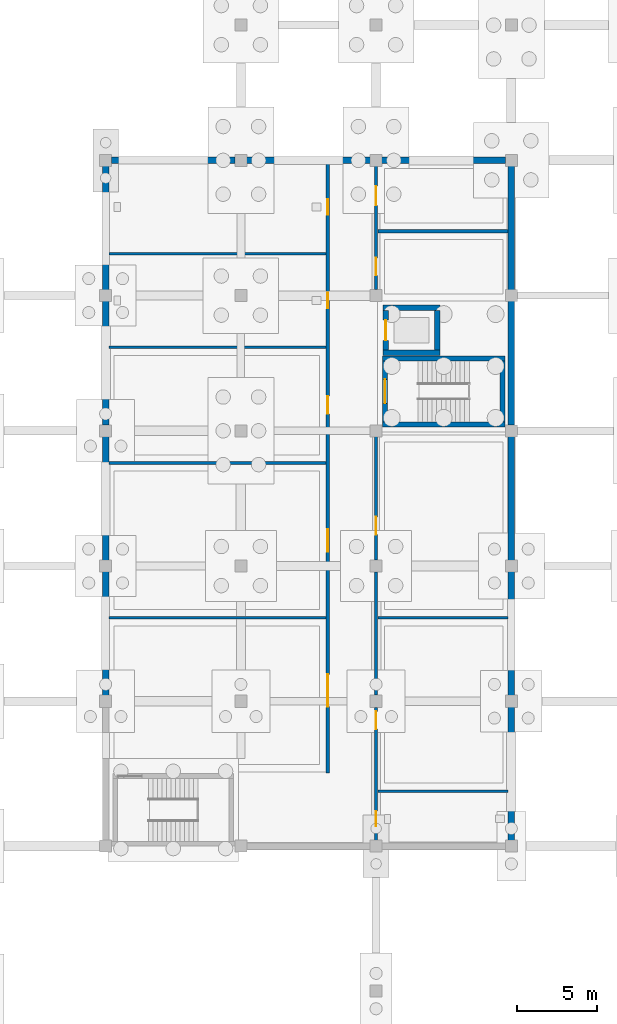
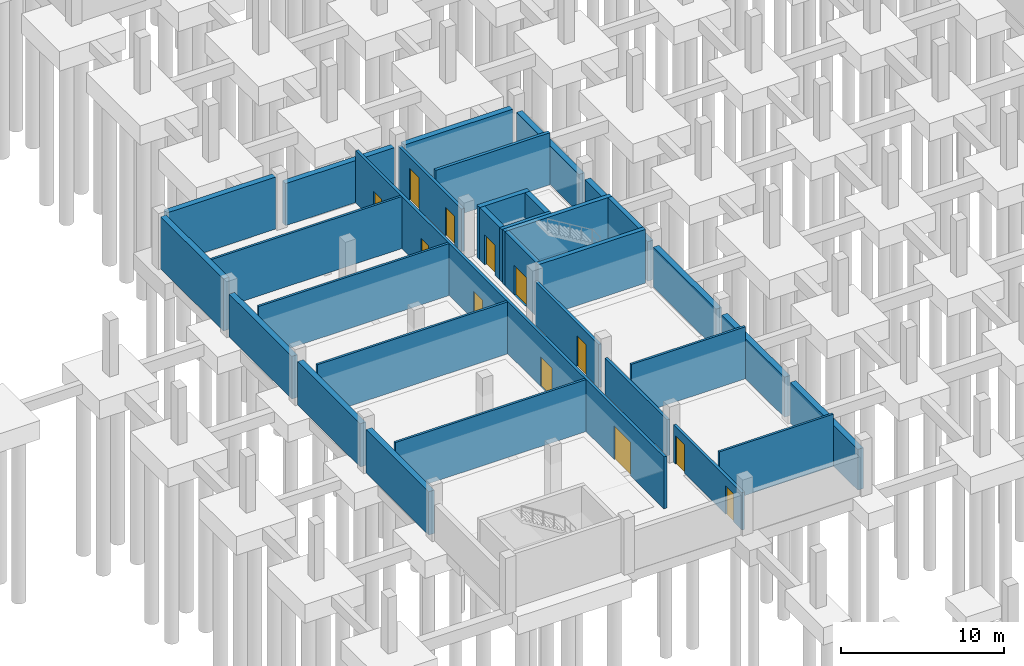
# One storey, part 12 of 20: 32 walls, 12 doors, 12 openings.
"""IFC4 building model written with IfcOpenShell, lengths in metres."""

from ifc_helpers import new_model, si_unit, direction, frame, frame_2d, origin, place, context, subcontext, project, spatial, rectangle, extrude, material, layer, layer_set, type_object, element, fill, save


model = new_model("IFC4")

# Units and contexts
model_context = context("Model", 3, precision=1e-05, world=origin(), true_north=direction((0.0, 1.0)))
body_context = subcontext(model_context, "Body", "Model", "MODEL_VIEW")
ifc_project = project(units=[si_unit("LENGTHUNIT", "METRE"), si_unit("AREAUNIT", "SQUARE_METRE"), si_unit("VOLUMEUNIT", "CUBIC_METRE"), si_unit("PLANEANGLEUNIT", "RADIAN"), si_unit("MASSUNIT", "GRAM", prefix="KILO")], contexts=[model_context])

# Site, building, storey
site_placement = place(None, origin())
site = spatial("IfcSite", under=ifc_project, at=site_placement, CompositionType="ELEMENT")
building_placement = place(site_placement, origin())
building = spatial("IfcBuilding", under=site, at=building_placement, Name="Vireocrest Preparatory School", CompositionType="ELEMENT")
storey_placement = place(building_placement, frame((0.0, 0.0, -4.199951171875)))
storey = spatial("IfcBuildingStorey", under=building, at=storey_placement, Name="B01", CompositionType="ELEMENT", Elevation=-4.199951171875)

# Walls
ifc_material_1 = material(Name="Concrete 45 MPa", Category="concrete")
ifc_layer_1 = layer(ifc_material_1, 0.39990234375)
ifc_layer_set_1 = layer_set([ifc_layer_1], Name="Concrete 45 MPa")
wall_type_1 = type_object("IfcWallType", Name="Basement RC Retaining Wall 400", PredefinedType="SHEAR", material=ifc_layer_set_1)
wall_1_placement = place(storey_placement, frame((58.800048828125, 18.35009765625, 0.0), z_axis=(0.0, 0.0, 1.0), x_axis=(0.0, 1.0, 0.0)))
element("IfcWall", 1, at=wall_1_placement, inside=storey, type_object=wall_type_1, Name="External Wall RW1 EW_B01_0003", PredefinedType="SHEAR", context=body_context, shape_type="SweptSolid", body=[
    extrude(rectangle(XDim=8.2998046875, YDim=0.39990234375, at=frame_2d((4.14990234375, 0.0))), origin(), (0.0, 0.0, 1.0), 3.050048828125),
])
for number, where, z_axis, x_axis, name in (
    (2, (58.800048828125, 27.35009765625, 0.0), (0.0, 0.0, 1.0), (0.0, 1.0, 0.0), "External Wall RW1 EW_B01_0004"),
    (3, (58.800048828125, 35.75, 0.0), (0.0, 0.0, 1.0), (0.0, 1.0, 0.0), "External Wall RW1 EW_B01_0005"),
):
    element("IfcWall", number, at=place(storey_placement, frame(where, z_axis=z_axis, x_axis=x_axis)), inside=storey, type_object=wall_type_1, Name=name, PredefinedType="SHEAR", context=body_context, shape_type="SweptSolid", body=[
        extrude(rectangle(XDim=7.699951171875, YDim=0.39990234375, at=frame_2d((3.85009765625, 0.0))), origin(), (0.0, 0.0, 1.0), 3.0),
    ])
wall_2_placement = place(storey_placement, frame((58.800048828125, 44.14990234375, 0.0), z_axis=(0.0, 0.0, 1.0), x_axis=(0.0, 1.0, 0.0)))
element("IfcWall", 4, at=wall_2_placement, inside=storey, type_object=wall_type_1, Name="External Wall RW1 EW_B01_0006", PredefinedType="SHEAR", context=body_context, shape_type="SweptSolid", body=[
    extrude(rectangle(XDim=7.7001953125, YDim=0.39990234375, at=frame_2d((3.85009765625, 0.0))), origin(), (0.0, 0.0, 1.0), 2.949951171875),
])
wall_3_placement = place(storey_placement, frame((58.800048828125, 52.550048828125, 0.0), z_axis=(0.0, 0.0, 1.0), x_axis=(0.0, 1.0, 0.0)))
element("IfcWall", 5, at=wall_3_placement, inside=storey, type_object=wall_type_1, Name="External Wall RW1 EW_B01_0007", PredefinedType="SHEAR", context=body_context, shape_type="SweptSolid", body=[
    extrude(rectangle(XDim=7.699951171875, YDim=0.39990234375, at=frame_2d((3.85009765625, 0.0))), origin(), (0.0, 0.0, 1.0), 2.89990234375),
])
wall_4_placement = place(storey_placement, frame((33.949951171875, 60.60009765625, 0.0), z_axis=(0.0, 0.0, 1.0), x_axis=(1.0, 0.0, 0.0)))
element("IfcWall", 6, at=wall_4_placement, inside=storey, type_object=wall_type_1, Name="External Wall RW1 EW_B01_0008", PredefinedType="SHEAR", context=body_context, shape_type="SweptSolid", body=[
    extrude(rectangle(XDim=7.699951171875, YDim=0.39990234375, at=frame_2d((3.85009765625, 0.0))), origin(), (0.0, 0.0, 1.0), 3.89990234375),
])
wall_5_placement = place(storey_placement, frame((42.35009765625, 60.60009765625, 0.0), z_axis=(0.0, 0.0, 1.0), x_axis=(1.0, 0.0, 0.0)))
element("IfcWall", 7, at=wall_5_placement, inside=storey, type_object=wall_type_1, Name="External Wall RW1 EW_B01_0009", PredefinedType="SHEAR", context=body_context, shape_type="SweptSolid", body=[
    extrude(rectangle(XDim=7.699951171875, YDim=0.39990234375, at=frame_2d((3.85009765625, 0.0))), origin(), (0.0, 0.0, 1.0), 3.14990234375),
])
wall_6_placement = place(storey_placement, frame((50.75, 60.60009765625, 0.0), z_axis=(0.0, 0.0, 1.0), x_axis=(1.0, 0.0, 0.0)))
element("IfcWall", 8, at=wall_6_placement, inside=storey, type_object=wall_type_1, Name="External Wall RW1 EW_B01_0010", PredefinedType="SHEAR", context=body_context, shape_type="SweptSolid", body=[
    extrude(rectangle(XDim=7.699951171875, YDim=0.39990234375, at=frame_2d((3.85009765625, 0.0))), origin(), (0.0, 0.0, 1.0), 3.099853515625),
])
for number, where, z_axis, x_axis, name in (
    (9, (33.60009765625, 27.35009765625, 0.0), (0.0, 0.0, 1.0), (0.0, 1.0, 0.0), "External Wall RW1 EW_B01_0012"),
    (10, (33.60009765625, 35.75, 0.0), (0.0, 0.0, 1.0), (0.0, 1.0, 0.0), "External Wall RW1 EW_B01_0013"),
):
    element("IfcWall", number, at=place(storey_placement, frame(where, z_axis=z_axis, x_axis=x_axis)), inside=storey, type_object=wall_type_1, Name=name, PredefinedType="SHEAR", context=body_context, shape_type="SweptSolid", body=[
        extrude(rectangle(XDim=7.699951171875, YDim=0.39990234375, at=frame_2d((3.85009765625, 0.0))), origin(), (0.0, 0.0, 1.0), 3.25),
    ])
wall_7_placement = place(storey_placement, frame((33.60009765625, 44.14990234375, 0.0), z_axis=(0.0, 0.0, 1.0), x_axis=(0.0, 1.0, 0.0)))
element("IfcWall", 11, at=wall_7_placement, inside=storey, type_object=wall_type_1, Name="External Wall RW1 EW_B01_0014", PredefinedType="SHEAR", context=body_context, shape_type="SweptSolid", body=[
    extrude(rectangle(XDim=7.7001953125, YDim=0.39990234375, at=frame_2d((3.85009765625, 0.0))), origin(), (0.0, 0.0, 1.0), 3.199951171875),
])
wall_8_placement = place(storey_placement, frame((33.60009765625, 52.550048828125, 0.0), z_axis=(0.0, 0.0, 1.0), x_axis=(0.0, 1.0, 0.0)))
element("IfcWall", 12, at=wall_8_placement, inside=storey, type_object=wall_type_1, Name="External Wall RW1 EW_B01_0015", PredefinedType="SHEAR", context=body_context, shape_type="SweptSolid", body=[
    extrude(rectangle(XDim=7.699951171875, YDim=0.39990234375, at=frame_2d((3.85009765625, 0.0))), origin(), (0.0, 0.0, 1.0), 3.89990234375),
])

# Wall, openings, doors
ifc_material_2 = material(Name="Gypsum board on cold-formed steel studs", Category="steel")
ifc_layer_2 = layer(ifc_material_2, 0.199951171875)
ifc_layer_set_2 = layer_set([ifc_layer_2], Name="Gypsum board on cold-formed steel studs")
wall_type_2 = type_object("IfcWallType", Name="Corridor One-Hour Fire Partition 200", PredefinedType="PARTITIONING", material=ifc_layer_set_2)
wall_9_placement = place(storey_placement, frame((47.39990234375, 22.56005859375, 0.0), z_axis=(0.0, 0.0, 1.0), x_axis=(0.0, 1.0, 0.0)))
wall_9 = element("IfcWall", 13, at=wall_9_placement, inside=storey, type_object=wall_type_2, Name="Interior Partition W06 IW_B01_0005", PredefinedType="PARTITIONING", context=body_context, shape_type="SweptSolid", body=[
    extrude(rectangle(XDim=37.8349609375, YDim=0.199951171875, at=frame_2d((18.91748046875, 0.0))), origin(), (0.0, 0.0, 1.0), 3.89990234375),
])
opening_1_placement = place(wall_9_placement, frame((4.114990234375, 0.0, 0.0)))
opening_1 = element("IfcOpeningElement", 14, at=opening_1_placement, cuts=wall_9, Name="Opening D-B01-WW01", PredefinedType="OPENING", context=body_context, shape_type="SweptSolid", body=[
    extrude(rectangle(XDim=2.0, YDim=2.5, at=frame_2d((1.0, 1.25))), frame((0.0, 0.10986328125, 0.0), z_axis=(0.0, -1.0, 0.0), x_axis=(1.0, 0.0, 0.0)), (0.0, 0.0, 1.0), 0.219970703125),
])
opening_2_placement = place(wall_9_placement, frame((13.739990234375, 0.0, 0.0)))
opening_2 = element("IfcOpeningElement", 15, at=opening_2_placement, cuts=wall_9, Name="Opening D-B01-WW02", PredefinedType="OPENING", context=body_context, shape_type="SweptSolid", body=[
    extrude(rectangle(XDim=1.39990234375, YDim=2.199951171875, at=frame_2d((0.699951171875, 1.10009765625))), frame((0.0, 0.10986328125, 0.0), z_axis=(0.0, -1.0, 0.0), x_axis=(1.0, 0.0, 0.0)), (0.0, 0.0, 1.0), 0.219970703125),
])
opening_3_placement = place(wall_9_placement, frame((22.2900390625, 0.0, 0.0)))
opening_3 = element("IfcOpeningElement", 16, at=opening_3_placement, cuts=wall_9, Name="Opening D-B01-WW03", PredefinedType="OPENING", context=body_context, shape_type="SweptSolid", body=[
    extrude(rectangle(XDim=1.10009765625, YDim=2.14990234375, at=frame_2d((0.550048828125, 1.074951171875))), frame((0.0, 0.10986328125, 0.0), z_axis=(0.0, -1.0, 0.0), x_axis=(1.0, 0.0, 0.0)), (0.0, 0.0, 1.0), 0.219970703125),
])
opening_4_placement = place(wall_9_placement, frame((28.864990234375, 0.0, 0.0)))
opening_4 = element("IfcOpeningElement", 17, at=opening_4_placement, cuts=wall_9, Name="Opening D-B01-WW04", PredefinedType="OPENING", context=body_context, shape_type="SweptSolid", body=[
    extrude(rectangle(XDim=0.949951171875, YDim=2.199951171875, at=frame_2d((0.47509765625, 1.10009765625))), frame((0.0, 0.10986328125, 0.0), z_axis=(0.0, -1.0, 0.0), x_axis=(1.0, 0.0, 0.0)), (0.0, 0.0, 1.0), 0.219970703125),
])
opening_5_placement = place(wall_9_placement, frame((34.6650390625, 0.0, 0.0)))
opening_5 = element("IfcOpeningElement", 18, at=opening_5_placement, cuts=wall_9, Name="Opening D-B01-WW05", PredefinedType="OPENING", context=body_context, shape_type="SweptSolid", body=[
    extrude(rectangle(XDim=0.949951171875, YDim=2.199951171875, at=frame_2d((0.47509765625, 1.10009765625))), frame((0.0, 0.10986328125, 0.0), z_axis=(0.0, -1.0, 0.0), x_axis=(1.0, 0.0, 0.0)), (0.0, 0.0, 1.0), 0.219970703125),
])
ifc_material_3 = material(Name="Painted galvanized hollow steel", Category="steel")
door_type_1 = type_object("IfcDoorType", Name="Lab Equipment Unequal Pair Door 1400x2200", OperationType="DOUBLE_DOOR_SINGLE_SWING", PredefinedType="DOOR", material=ifc_material_3)
door_1_placement = place(opening_2_placement, origin())
door_1 = element("IfcDoor", 19, at=door_1_placement, inside=storey, type_object=door_type_1, Name="Interior Door D-B01-WW02", OperationType="DOUBLE_DOOR_SINGLE_SWING", OverallHeight=2.199951171875, OverallWidth=1.39990234375, PredefinedType="DOOR", context=body_context, shape_type="SweptSolid", body=[
    extrude(rectangle(XDim=1.39990234375, YDim=2.199951171875, at=frame_2d((0.699951171875, 1.10009765625))), frame((0.0, 0.02490234375, 0.0), z_axis=(0.0, -1.0, 0.0), x_axis=(1.0, 0.0, 0.0)), (0.0, 0.0, 1.0), 0.050048828125),
])
fill(opening_2, door_1)
door_type_2 = type_object("IfcDoorType", Name="Prep and Store Fire Door 1100x2150", OperationType="NOTDEFINED", PredefinedType="DOOR", material=ifc_material_3)
door_2_placement = place(opening_3_placement, origin())
door_2 = element("IfcDoor", 20, at=door_2_placement, inside=storey, type_object=door_type_2, Name="Interior Door D-B01-WW03", OperationType="SINGLE_SWING_LEFT", OverallHeight=2.14990234375, OverallWidth=1.10009765625, PredefinedType="DOOR", context=body_context, shape_type="SweptSolid", body=[
    extrude(rectangle(XDim=1.10009765625, YDim=2.14990234375, at=frame_2d((0.550048828125, 1.074951171875))), frame((0.0, 0.02490234375, 0.0), z_axis=(0.0, -1.0, 0.0), x_axis=(1.0, 0.0, 0.0)), (0.0, 0.0, 1.0), 0.050048828125),
])
fill(opening_3, door_2)
ifc_material_4 = material(Name="Solid-core architectural birch timber", Category="wood")
door_type_3 = type_object("IfcDoorType", Name="Student Washroom Door 950x2200", OperationType="NOTDEFINED", PredefinedType="DOOR", material=ifc_material_4)
door_3_placement = place(opening_4_placement, origin())
door_3 = element("IfcDoor", 21, at=door_3_placement, inside=storey, type_object=door_type_3, Name="Interior Door D-B01-WW04", OperationType="SINGLE_SWING_RIGHT", OverallHeight=2.199951171875, OverallWidth=0.949951171875, PredefinedType="DOOR", context=body_context, shape_type="SweptSolid", body=[
    extrude(rectangle(XDim=0.949951171875, YDim=2.199951171875, at=frame_2d((0.47509765625, 1.10009765625))), frame((0.0, 0.02490234375, 0.0), z_axis=(0.0, -1.0, 0.0), x_axis=(1.0, 0.0, 0.0)), (0.0, 0.0, 1.0), 0.050048828125),
])
fill(opening_4, door_3)
door_4_placement = place(opening_5_placement, origin())
door_4 = element("IfcDoor", 22, at=door_4_placement, inside=storey, type_object=door_type_3, Name="Interior Door D-B01-WW05", OperationType="SINGLE_SWING_LEFT", OverallHeight=2.199951171875, OverallWidth=0.949951171875, PredefinedType="DOOR", context=body_context, shape_type="SweptSolid", body=[
    extrude(rectangle(XDim=0.949951171875, YDim=2.199951171875, at=frame_2d((0.47509765625, 1.10009765625))), frame((0.0, 0.02490234375, 0.0), z_axis=(0.0, -1.0, 0.0), x_axis=(1.0, 0.0, 0.0)), (0.0, 0.0, 1.0), 0.050048828125),
])
fill(opening_5, door_4)
door_type_4 = type_object("IfcDoorType", Name="Workshop Double Door 2000x2500", OperationType="DOUBLE_DOOR_SINGLE_SWING", PredefinedType="DOOR", material=ifc_material_3)
door_5_placement = place(opening_1_placement, origin())
door_5 = element("IfcDoor", 23, at=door_5_placement, inside=storey, type_object=door_type_4, Name="Interior Door D-B01-WW01", OperationType="DOUBLE_DOOR_SINGLE_SWING", OverallHeight=2.5, OverallWidth=2.0, PredefinedType="DOOR", context=body_context, shape_type="SweptSolid", body=[
    extrude(rectangle(XDim=2.0, YDim=2.5, at=frame_2d((1.0, 1.25))), frame((0.0, 0.02490234375, 0.0), z_axis=(0.0, -1.0, 0.0), x_axis=(1.0, 0.0, 0.0)), (0.0, 0.0, 1.0), 0.050048828125),
])
fill(opening_1, door_5)

wall_10_placement = place(storey_placement, frame((50.39990234375, 18.205078125, 0.0), z_axis=(0.0, 0.0, 1.0), x_axis=(0.0, 1.0, 0.0)))
wall_10 = element("IfcWall", 24, at=wall_10_placement, inside=storey, type_object=wall_type_2, Name="Interior Partition W06 IW_B01_0008", PredefinedType="PARTITIONING", context=body_context, shape_type="SweptSolid", body=[
    extrude(rectangle(XDim=8.409912109375, YDim=0.199951171875, at=frame_2d((4.205078125, 0.0))), origin(), (0.0, 0.0, 1.0), 2.800048828125),
])
opening_6_placement = place(wall_10_placement, frame((1.02001953125, 0.0, 0.0)))
opening_6 = element("IfcOpeningElement", 25, at=opening_6_placement, cuts=wall_10, Name="Opening D-B01-WE01", PredefinedType="OPENING", context=body_context, shape_type="SweptSolid", body=[
    extrude(rectangle(XDim=0.949951171875, YDim=2.10009765625, at=frame_2d((0.47509765625, 1.050048828125))), frame((0.0, 0.10986328125, 0.0), z_axis=(0.0, -1.0, 0.0), x_axis=(1.0, 0.0, 0.0)), (0.0, 0.0, 1.0), 0.219970703125),
])
opening_7_placement = place(wall_10_placement, frame((7.06005859375, 0.0, 0.0)))
opening_7 = element("IfcOpeningElement", 26, at=opening_7_placement, cuts=wall_10, Name="Opening D-B01-WE02", PredefinedType="OPENING", context=body_context, shape_type="SweptSolid", body=[
    extrude(rectangle(XDim=1.10009765625, YDim=2.14990234375, at=frame_2d((0.550048828125, 1.074951171875))), frame((0.0, 0.10986328125, 0.0), z_axis=(0.0, -1.0, 0.0), x_axis=(1.0, 0.0, 0.0)), (0.0, 0.0, 1.0), 0.219970703125),
])
door_type_5 = type_object("IfcDoorType", Name="Accessible WC Timber Door 950x2100", OperationType="NOTDEFINED", PredefinedType="DOOR", material=ifc_material_4)
door_6_placement = place(opening_6_placement, origin())
door_6 = element("IfcDoor", 27, at=door_6_placement, inside=storey, type_object=door_type_5, Name="Interior Door D-B01-WE01", OperationType="SINGLE_SWING_RIGHT", OverallHeight=2.10009765625, OverallWidth=0.949951171875, PredefinedType="DOOR", context=body_context, shape_type="SweptSolid", body=[
    extrude(rectangle(XDim=0.949951171875, YDim=2.10009765625, at=frame_2d((0.47509765625, 1.050048828125))), frame((0.0, 0.02490234375, 0.0), z_axis=(0.0, -1.0, 0.0), x_axis=(1.0, 0.0, 0.0)), (0.0, 0.0, 1.0), 0.050048828125),
])
fill(opening_6, door_6)
door_7_placement = place(opening_7_placement, origin())
door_7 = element("IfcDoor", 28, at=door_7_placement, inside=storey, type_object=door_type_2, Name="Interior Door D-B01-WE02", OperationType="SINGLE_SWING_LEFT", OverallHeight=2.14990234375, OverallWidth=1.10009765625, PredefinedType="DOOR", context=body_context, shape_type="SweptSolid", body=[
    extrude(rectangle(XDim=1.10009765625, YDim=2.14990234375, at=frame_2d((0.550048828125, 1.074951171875))), frame((0.0, 0.02490234375, 0.0), z_axis=(0.0, -1.0, 0.0), x_axis=(1.0, 0.0, 0.0)), (0.0, 0.0, 1.0), 0.050048828125),
])
fill(opening_7, door_7)

# Wall
wall_11_placement = place(storey_placement, frame((50.39990234375, 27.385009765625, 0.0), z_axis=(0.0, 0.0, 1.0), x_axis=(0.0, 1.0, 0.0)))
element("IfcWall", 29, at=wall_11_placement, inside=storey, type_object=wall_type_2, Name="Interior Partition W06 IW_B01_0009", PredefinedType="PARTITIONING", context=body_context, shape_type="SweptSolid", body=[
    extrude(rectangle(XDim=7.6298828125, YDim=0.199951171875, at=frame_2d((3.81494140625, 0.0))), origin(), (0.0, 0.0, 1.0), 2.699951171875),
])

# Wall, opening, door
wall_12_placement = place(storey_placement, frame((50.39990234375, 35.784912109375, 0.0), z_axis=(0.0, 0.0, 1.0), x_axis=(0.0, 1.0, 0.0)))
wall_12 = element("IfcWall", 30, at=wall_12_placement, inside=storey, type_object=wall_type_2, Name="Interior Partition W06 IW_B01_0010", PredefinedType="PARTITIONING", context=body_context, shape_type="SweptSolid", body=[
    extrude(rectangle(XDim=7.80517578125, YDim=0.199951171875, at=frame_2d((3.902587890625, 0.0))), origin(), (0.0, 0.0, 1.0), 3.25),
])
opening_8_placement = place(wall_12_placement, frame((1.56494140625, 0.0, 0.0)))
opening_8 = element("IfcOpeningElement", 31, at=opening_8_placement, cuts=wall_12, Name="Opening D-B01-WE03", PredefinedType="OPENING", context=body_context, shape_type="SweptSolid", body=[
    extrude(rectangle(XDim=1.10009765625, YDim=2.300048828125, at=frame_2d((0.550048828125, 1.14990234375))), frame((0.0, 0.10986328125, 0.0), z_axis=(0.0, -1.0, 0.0), x_axis=(1.0, 0.0, 0.0)), (0.0, 0.0, 1.0), 0.219970703125),
])
door_type_6 = type_object("IfcDoorType", Name="Music Studio Acoustic Door 1100x2300", OperationType="NOTDEFINED", PredefinedType="DOOR", material=ifc_material_3)
door_8_placement = place(opening_8_placement, origin())
door_8 = element("IfcDoor", 32, at=door_8_placement, inside=storey, type_object=door_type_6, Name="Interior Door D-B01-WE03", OperationType="SINGLE_SWING_RIGHT", OverallHeight=2.300048828125, OverallWidth=1.10009765625, PredefinedType="DOOR", context=body_context, shape_type="SweptSolid", body=[
    extrude(rectangle(XDim=1.10009765625, YDim=2.300048828125, at=frame_2d((0.550048828125, 1.14990234375))), frame((0.0, 0.02490234375, 0.0), z_axis=(0.0, -1.0, 0.0), x_axis=(1.0, 0.0, 0.0)), (0.0, 0.0, 1.0), 0.050048828125),
])
fill(opening_8, door_8)

# Wall, openings, doors
wall_13_placement = place(storey_placement, frame((50.39990234375, 52.5849609375, 0.0), z_axis=(0.0, 0.0, 1.0), x_axis=(0.0, 1.0, 0.0)))
wall_13 = element("IfcWall", 33, at=wall_13_placement, inside=storey, type_object=wall_type_2, Name="Interior Partition W06 IW_B01_0012", PredefinedType="PARTITIONING", context=body_context, shape_type="SweptSolid", body=[
    extrude(rectangle(XDim=7.81005859375, YDim=0.199951171875, at=frame_2d((3.905029296875, 0.0))), origin(), (0.0, 0.0, 1.0), 3.199951171875),
])
opening_9_placement = place(wall_13_placement, frame((0.864990234375, 0.0, 0.0)))
opening_9 = element("IfcOpeningElement", 34, at=opening_9_placement, cuts=wall_13, Name="Opening D-B01-WEN01", PredefinedType="OPENING", context=body_context, shape_type="SweptSolid", body=[
    extrude(rectangle(XDim=1.10009765625, YDim=2.14990234375, at=frame_2d((0.550048828125, 1.074951171875))), frame((0.0, 0.10986328125, 0.0), z_axis=(0.0, -1.0, 0.0), x_axis=(1.0, 0.0, 0.0)), (0.0, 0.0, 1.0), 0.219970703125),
])
opening_10_placement = place(wall_13_placement, frame((5.215087890625, 0.0, 0.0)))
opening_10 = element("IfcOpeningElement", 35, at=opening_10_placement, cuts=wall_13, Name="Opening D-B01-WEN02", PredefinedType="OPENING", context=body_context, shape_type="SweptSolid", body=[
    extrude(rectangle(XDim=1.199951171875, YDim=2.39990234375, at=frame_2d((0.60009765625, 1.199951171875))), frame((0.0, 0.10986328125, 0.0), z_axis=(0.0, -1.0, 0.0), x_axis=(1.0, 0.0, 0.0)), (0.0, 0.0, 1.0), 0.219970703125),
])
door_type_7 = type_object("IfcDoorType", Name="Plant Room Steel Door 1200x2400", OperationType="NOTDEFINED", PredefinedType="DOOR", material=ifc_material_3)
door_9_placement = place(opening_10_placement, origin())
door_9 = element("IfcDoor", 36, at=door_9_placement, inside=storey, type_object=door_type_7, Name="Interior Door D-B01-WEN02", OperationType="SINGLE_SWING_RIGHT", OverallHeight=2.39990234375, OverallWidth=1.199951171875, PredefinedType="DOOR", context=body_context, shape_type="SweptSolid", body=[
    extrude(rectangle(XDim=1.199951171875, YDim=2.39990234375, at=frame_2d((0.60009765625, 1.199951171875))), frame((0.0, 0.02490234375, 0.0), z_axis=(0.0, -1.0, 0.0), x_axis=(1.0, 0.0, 0.0)), (0.0, 0.0, 1.0), 0.050048828125),
])
fill(opening_10, door_9)
door_10_placement = place(opening_9_placement, origin())
door_10 = element("IfcDoor", 37, at=door_10_placement, inside=storey, type_object=door_type_2, Name="Interior Door D-B01-WEN01", OperationType="SINGLE_SWING_LEFT", OverallHeight=2.14990234375, OverallWidth=1.10009765625, PredefinedType="DOOR", context=body_context, shape_type="SweptSolid", body=[
    extrude(rectangle(XDim=1.10009765625, YDim=2.14990234375, at=frame_2d((0.550048828125, 1.074951171875))), frame((0.0, 0.02490234375, 0.0), z_axis=(0.0, -1.0, 0.0), x_axis=(1.0, 0.0, 0.0)), (0.0, 0.0, 1.0), 0.050048828125),
])
fill(opening_9, door_10)

# Walls
ifc_material_5 = material(Name="Acoustic concrete masonry unitwork", Category="masonry")
ifc_layer_3 = layer(ifc_material_5, 0.219970703125)
ifc_layer_set_3 = layer_set([ifc_layer_3], Name="Acoustic concrete masonry unitwork")
wall_type_3 = type_object("IfcWallType", Name="Internal Acoustic Masonry Wall 220", PredefinedType="SOLIDWALL", material=ifc_layer_set_3)
wall_14_placement = place(storey_placement, frame((50.5048828125, 56.199951171875, 0.0), z_axis=(0.0, 0.0, 1.0), x_axis=(1.0, 0.0, 0.0)))
element("IfcWall", 38, at=wall_14_placement, inside=storey, type_object=wall_type_3, Name="Interior Partition W07 IW_B01_0011", PredefinedType="SOLIDWALL", context=body_context, shape_type="SweptSolid", body=[
    extrude(rectangle(XDim=8.090087890625, YDim=0.219970703125, at=frame_2d((4.044921875, 0.0))), origin(), (0.0, 0.0, 1.0), 3.89990234375),
])
ifc_layer_4 = layer(ifc_material_2, 0.159912109375)
ifc_layer_set_4 = layer_set([ifc_layer_4], Name="Gypsum board on cold-formed steel studs")
wall_type_4 = type_object("IfcWallType", Name="Laboratory Wet-Service Partition Wall 160", PredefinedType="PARTITIONING", material=ifc_layer_set_4)
for number, where, z_axis, x_axis, name in (
    (39, (33.804931640625, 32.199951171875, 0.0), (0.0, 0.0, 1.0), (1.0, 0.0, 0.0), "Interior Partition W04 IW_B01_0001"),
    (40, (33.804931640625, 41.800048828125, 0.0), (0.0, 0.0, 1.0), (1.0, 0.0, 0.0), "Interior Partition W04 IW_B01_0002"),
    (41, (33.804931640625, 49.0, 0.0), (0.0, 0.0, 1.0), (1.0, 0.0, 0.0), "Interior Partition W04 IW_B01_0003"),
    (42, (33.804931640625, 54.800048828125, 0.0), (0.0, 0.0, 1.0), (1.0, 0.0, 0.0), "Interior Partition W04 IW_B01_0004"),
):
    element("IfcWall", number, at=place(storey_placement, frame(where, z_axis=z_axis, x_axis=x_axis)), inside=storey, type_object=wall_type_4, Name=name, PredefinedType="PARTITIONING", context=body_context, shape_type="SweptSolid", body=[
        extrude(rectangle(XDim=13.489990234375, YDim=0.159912109375, at=frame_2d((6.7451171875, 0.0))), origin(), (0.0, 0.0, 1.0), 3.89990234375),
    ])
for number, where, z_axis, x_axis, name in (
    (43, (50.5048828125, 21.39990234375, 0.0), (0.0, 0.0, 1.0), (1.0, 0.0, 0.0), "Interior Partition W04 IW_B01_0006"),
    (44, (50.5048828125, 32.199951171875, 0.0), (0.0, 0.0, 1.0), (1.0, 0.0, 0.0), "Interior Partition W04 IW_B01_0007"),
):
    element("IfcWall", number, at=place(storey_placement, frame(where, z_axis=z_axis, x_axis=x_axis)), inside=storey, type_object=wall_type_4, Name=name, PredefinedType="PARTITIONING", context=body_context, shape_type="SweptSolid", body=[
        extrude(rectangle(XDim=8.090087890625, YDim=0.159912109375, at=frame_2d((4.044921875, 0.0))), origin(), (0.0, 0.0, 1.0), 3.89990234375),
    ])
ifc_layer_5 = layer(ifc_material_1, 0.35009765625)
ifc_layer_set_5 = layer_set([ifc_layer_5], Name="Concrete 45 MPa")
wall_type_5 = type_object("IfcWallType", Name="Two-Hour RC Lift Core Shear Wall 350", PredefinedType="SHEAR", material=ifc_layer_set_5)
for number, where, z_axis, x_axis, name in (
    (45, (50.824951171875, 48.64990234375, 0.0), (0.0, 0.0, 1.0), (1.0, 0.0, 0.0), "Lift Core Shear Wall LF1 B01-S"),
    (46, (50.824951171875, 51.449951171875, 0.0), (0.0, 0.0, 1.0), (1.0, 0.0, 0.0), "Lift Core Shear Wall LF1 B01-N"),
):
    element("IfcWall", number, at=place(storey_placement, frame(where, z_axis=z_axis, x_axis=x_axis)), inside=storey, type_object=wall_type_5, Name=name, PredefinedType="SHEAR", context=body_context, shape_type="SweptSolid", body=[
        extrude(rectangle(XDim=3.550048828125, YDim=0.35009765625, at=frame_2d((1.77490234375, 0.0))), origin(), (0.0, 0.0, 1.0), 3.919921875),
    ])

# Wall, opening, door
wall_15_placement = place(storey_placement, frame((51.0, 48.824951171875, 0.0), z_axis=(0.0, 0.0, 1.0), x_axis=(0.0, 1.0, 0.0)))
wall_15 = element("IfcWall", 47, at=wall_15_placement, inside=storey, type_object=wall_type_5, Name="Lift Core Shear Wall LF1 B01-W", PredefinedType="SHEAR", context=body_context, shape_type="SweptSolid", body=[
    extrude(rectangle(XDim=2.449951171875, YDim=0.35009765625, at=frame_2d((1.22509765625, 0.0))), origin(), (0.0, 0.0, 1.0), 3.919921875),
])
opening_11_placement = place(wall_15_placement, frame((0.60009765625, 0.0, 0.0)))
opening_11 = element("IfcOpeningElement", 48, at=opening_11_placement, cuts=wall_15, Name="Opening LD-LF1-B01", PredefinedType="OPENING", context=body_context, shape_type="SweptSolid", body=[
    extrude(rectangle(XDim=1.25, YDim=2.25, at=frame_2d((0.625, 1.125))), frame((0.0, 0.18505859375, 0.0), z_axis=(0.0, -1.0, 0.0), x_axis=(1.0, 0.0, 0.0)), (0.0, 0.0, 1.0), 0.3701171875),
])
door_type_8 = type_object("IfcDoorType", Name="Stretcher Lift Landing Sliding Door 1250x2250", OperationType="DOUBLE_DOOR_SLIDING", PredefinedType="DOOR", material=ifc_material_3)
door_11_placement = place(opening_11_placement, origin())
door_11 = element("IfcDoor", 49, at=door_11_placement, inside=storey, type_object=door_type_8, Name="Lift Landing Door LD-LF1-B01", OperationType="DOUBLE_DOOR_SLIDING", OverallHeight=2.25, OverallWidth=1.25, PredefinedType="DOOR", context=body_context, shape_type="SweptSolid", body=[
    extrude(rectangle(XDim=1.25, YDim=2.25, at=frame_2d((0.625, 1.125))), frame((0.0, 0.02490234375, 0.0), z_axis=(0.0, -1.0, 0.0), x_axis=(1.0, 0.0, 0.0)), (0.0, 0.0, 1.0), 0.050048828125),
])
fill(opening_11, door_11)

# Walls
wall_16_placement = place(storey_placement, frame((54.199951171875, 48.824951171875, 0.0), z_axis=(0.0, 0.0, 1.0), x_axis=(0.0, 1.0, 0.0)))
element("IfcWall", 50, at=wall_16_placement, inside=storey, type_object=wall_type_5, Name="Lift Core Shear Wall LF1 B01-E", PredefinedType="SHEAR", context=body_context, shape_type="SweptSolid", body=[
    extrude(rectangle(XDim=2.449951171875, YDim=0.35009765625, at=frame_2d((1.22509765625, 0.0))), origin(), (0.0, 0.0, 1.0), 3.919921875),
])
ifc_layer_6 = layer(ifc_material_1, 0.300048828125)
ifc_layer_set_6 = layer_set([ifc_layer_6], Name="Concrete 45 MPa")
wall_type_6 = type_object("IfcWallType", Name="Two-Hour RC Stair Shaft Shear Wall 300", PredefinedType="SHEAR", material=ifc_layer_set_6)
for number, where, z_axis, x_axis, name in (
    (51, (50.800048828125, 44.199951171875, 0.0), (0.0, 0.0, 1.0), (1.0, 0.0, 0.0), "Stair Core Shear Wall ST1 B01-S"),
    (52, (50.800048828125, 48.300048828125, 0.0), (0.0, 0.0, 1.0), (1.0, 0.0, 0.0), "Stair Core Shear Wall ST1 B01-N"),
):
    element("IfcWall", number, at=place(storey_placement, frame(where, z_axis=z_axis, x_axis=x_axis)), inside=storey, type_object=wall_type_6, Name=name, PredefinedType="SHEAR", context=body_context, shape_type="SweptSolid", body=[
        extrude(rectangle(XDim=7.599853515625, YDim=0.300048828125, at=frame_2d((3.7998046875, 0.0))), origin(), (0.0, 0.0, 1.0), 4.02490234375),
    ])

# Wall, opening, door
wall_17_placement = place(storey_placement, frame((50.949951171875, 44.35009765625, 0.0), z_axis=(0.0, 0.0, 1.0), x_axis=(0.0, 1.0, 0.0)))
wall_17 = element("IfcWall", 53, at=wall_17_placement, inside=storey, type_object=wall_type_6, Name="Stair Core Shear Wall ST1 B01-W", PredefinedType="SHEAR", context=body_context, shape_type="SweptSolid", body=[
    extrude(rectangle(XDim=3.7998046875, YDim=0.300048828125, at=frame_2d((1.89990234375, 0.0))), origin(), (0.0, 0.0, 1.0), 4.02490234375),
])
opening_12_placement = place(wall_17_placement, frame((1.14990234375, 0.0, 0.0)))
opening_12 = element("IfcOpeningElement", 54, at=opening_12_placement, cuts=wall_17, Name="Opening SD-ST1-B01", PredefinedType="OPENING", context=body_context, shape_type="SweptSolid", body=[
    extrude(rectangle(XDim=1.5, YDim=2.199951171875, at=frame_2d((0.75, 1.10009765625))), frame((0.0, 0.159912109375, 0.0), z_axis=(0.0, -1.0, 0.0), x_axis=(1.0, 0.0, 0.0)), (0.0, 0.0, 1.0), 0.320068359375),
])
door_type_9 = type_object("IfcDoorType", Name="Stair Enclosure Fire Door 1500x2200", OperationType="DOUBLE_DOOR_SINGLE_SWING", PredefinedType="DOOR", material=ifc_material_3)
door_12_placement = place(opening_12_placement, origin())
door_12 = element("IfcDoor", 55, at=door_12_placement, inside=storey, type_object=door_type_9, Name="Stair Enclosure Fire Door SD-ST1-B01", OperationType="DOUBLE_DOOR_SINGLE_SWING", OverallHeight=2.199951171875, OverallWidth=1.5, PredefinedType="DOOR", context=body_context, shape_type="SweptSolid", body=[
    extrude(rectangle(XDim=1.5, YDim=2.199951171875, at=frame_2d((0.75, 1.10009765625))), frame((0.0, 0.02490234375, 0.0), z_axis=(0.0, -1.0, 0.0), x_axis=(1.0, 0.0, 0.0)), (0.0, 0.0, 1.0), 0.050048828125),
])
fill(opening_12, door_12)

# Wall
wall_18_placement = place(storey_placement, frame((58.25, 44.35009765625, 0.0), z_axis=(0.0, 0.0, 1.0), x_axis=(0.0, 1.0, 0.0)))
element("IfcWall", 56, at=wall_18_placement, inside=storey, type_object=wall_type_6, Name="Stair Core Shear Wall ST1 B01-E", PredefinedType="SHEAR", context=body_context, shape_type="SweptSolid", body=[
    extrude(rectangle(XDim=3.7998046875, YDim=0.300048828125, at=frame_2d((1.89990234375, 0.0))), origin(), (0.0, 0.0, 1.0), 4.02490234375),
])

save(model, "model.ifc")
